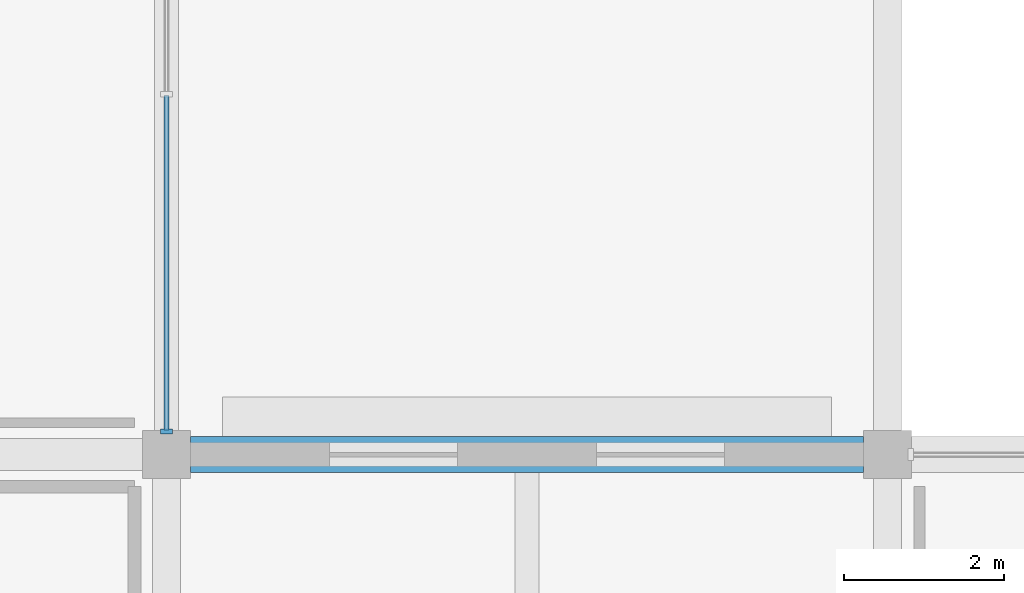
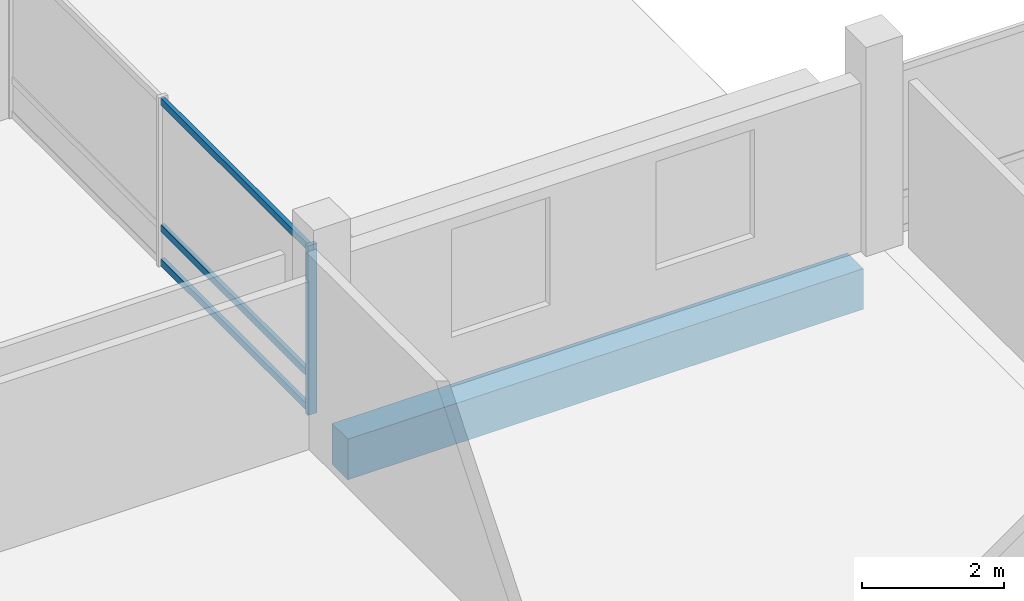
# One storey, part 13 of 163: 4 members, 1 beam, 1 element without a shape of its own.
"""IFC4 building model written with IfcOpenShell, lengths in metres."""

import ifcopenshell
import ifcopenshell.guid

model = None  # the IFC model being written
_history = None  # IfcOwnerHistory: only IFC2X3 demands one
_inside = {}  # id of a spatial element -> (the spatial element, [elements in it])
_under = {}  # id of a project, library or spatial element -> (it, [spatial elements below it])
_declared = {}  # id of a project -> (the project, [libraries it declares])
_typed = {}  # id of a type object -> (the type object, [elements of that type])
_made_of = {}  # id of a material, layer set ... -> (it, [elements and type objects made of it])


def new_model(schema):
    """Start an empty IFC model of exactly this schema.

    Asked for "IFC4X3", IfcOpenShell would pick the latest addendum, in which some entities
    have other attributes; the version numbers below select the first issue.
    IFC2X3 requires an IfcOwnerHistory on every rooted entity: one is made here for all.
    """
    global model, _history
    if schema == "IFC4X3":
        model = ifcopenshell.file(schema_version=(4, 3, 0, 0))
    else:
        model = ifcopenshell.file(schema=schema)
    _inside.clear()
    _under.clear()
    _declared.clear()
    _typed.clear()
    _made_of.clear()
    _history = None
    if model.schema == "IFC2X3":
        org = make("IfcOrganization", Name="unknown")
        user = make(
            "IfcPersonAndOrganization",
            ThePerson=make("IfcPerson", FamilyName="unknown"),
            TheOrganization=org,
        )
        app = make(
            "IfcApplication",
            ApplicationDeveloper=org,
            Version="unknown",
            ApplicationFullName="unknown",
            ApplicationIdentifier="unknown",
        )
        _history = make(
            "IfcOwnerHistory",
            OwningUser=user,
            OwningApplication=app,
            ChangeAction="ADDED",
            CreationDate=0,
        )
    return model


def make(cls, **values):
    """One entity of the class cls with the attributes given. An attribute that is None is left unset."""
    return model.create_entity(
        cls, **{name: value for name, value in values.items() if value is not None}
    )


def rooted(cls, **values):
    """An entity with a GlobalId (a new one), such as an element, a storey or a relation."""
    return make(cls, GlobalId=ifcopenshell.guid.new(), OwnerHistory=_history, **values)


def si_unit(unit_type, name, prefix=None):
    """IfcSIUnit, for example si_unit("LENGTHUNIT", "METRE", prefix="MILLI")."""
    return make("IfcSIUnit", UnitType=unit_type, Prefix=prefix, Name=name)


def assignment(units):
    """IfcUnitAssignment: the units of a project."""
    return None if units is None else make("IfcUnitAssignment", Units=units)


def point(xyz):
    """IfcCartesianPoint."""
    return None if xyz is None else make("IfcCartesianPoint", Coordinates=xyz)


def direction(xyz):
    """IfcDirection."""
    return None if xyz is None else make("IfcDirection", DirectionRatios=xyz)


def frame(location, z_axis=None, x_axis=None):
    """IfcAxis2Placement3D, a coordinate frame: its origin and axes. An axis left out is left unset."""
    return make(
        "IfcAxis2Placement3D",
        Location=point(location),
        Axis=direction(z_axis),
        RefDirection=direction(x_axis),
    )


def frame_2d(location, x_axis=None):
    """IfcAxis2Placement2D, a coordinate frame in the plane: its origin and x axis."""
    return make(
        "IfcAxis2Placement2D", Location=point(location), RefDirection=direction(x_axis)
    )


def origin():
    """The frame at (0, 0, 0) with its axes left unset."""
    return frame((0.0, 0.0, 0.0))


def origin_2d():
    """The frame at (0, 0) in the plane with its x axis left unset."""
    return frame_2d((0.0, 0.0))


def place(relative_to, where):
    """IfcLocalPlacement: puts the frame where relative to a parent placement (None: the world)."""
    return make(
        "IfcLocalPlacement", PlacementRelTo=relative_to, RelativePlacement=where
    )


def context(
    kind, dimensions, precision=None, world=None, true_north=None, identifier=None
):
    """IfcGeometricRepresentationContext, for example the 3D "Model" context."""
    return make(
        "IfcGeometricRepresentationContext",
        ContextIdentifier=identifier,
        ContextType=kind,
        CoordinateSpaceDimension=dimensions,
        Precision=precision,
        WorldCoordinateSystem=world,
        TrueNorth=true_north,
    )


def subcontext(parent, identifier, kind, view, scale=None):
    """IfcGeometricRepresentationSubContext, for example "Body" below "Model"."""
    return make(
        "IfcGeometricRepresentationSubContext",
        ContextIdentifier=identifier,
        ContextType=kind,
        ParentContext=parent,
        TargetScale=scale,
        TargetView=view,
    )


def project(units=None, contexts=None):
    """IfcProject with its units and contexts."""
    return rooted(
        "IfcProject",
        Name="project",
        RepresentationContexts=contexts,
        UnitsInContext=assignment(units),
    )


def spatial(cls, under=None, at=None, **own):
    """A site, building, storey or space (cls), placed at a placement, below another one or the project."""
    s = rooted(cls, ObjectPlacement=at, **own)
    if under is not None:
        _under.setdefault(under.id(), (under, []))[1].append(s)
    return s


def profile(cls, at=None, kind="AREA", **sizes):
    """A parametric profile (cls). Its sizes go by their IFC names, for example OverallWidth=200.0."""
    return make(cls, ProfileType=kind, Position=at, **sizes)


def rectangle(**sizes):
    """IfcRectangleProfileDef."""
    return profile("IfcRectangleProfileDef", **sizes)


def extrude(swept, where, along, depth):
    """IfcExtrudedAreaSolid: the profile swept, set in the frame where, extruded along a direction by depth."""
    return make(
        "IfcExtrudedAreaSolid",
        SweptArea=swept,
        Position=where,
        ExtrudedDirection=direction(along),
        Depth=depth,
    )


def shape(context_of_items, identifier, shape_type, items):
    """IfcShapeRepresentation: the items that make up one representation, for example the "Body"."""
    return make(
        "IfcShapeRepresentation",
        ContextOfItems=context_of_items,
        RepresentationIdentifier=identifier,
        RepresentationType=shape_type,
        Items=items,
    )


def material(Name=None, Category=None):
    """IfcMaterial."""
    return make("IfcMaterial", Name=Name, Category=Category)


def material_profile(
    of_material, cross_section, Name=None, Category=None, Priority=None
):
    """IfcMaterialProfile: a cross section and its material."""
    return make(
        "IfcMaterialProfile",
        Name=Name,
        Material=of_material,
        Profile=cross_section,
        Priority=Priority,
        Category=Category,
    )


def profile_set(profiles, Name=None, composite=None):
    """IfcMaterialProfileSet."""
    return make(
        "IfcMaterialProfileSet",
        Name=Name,
        MaterialProfiles=profiles,
        CompositeProfile=composite,
    )


def made_of(thing, what):
    """Note that an element or type object is made of a material, layer set ...; save() writes the relation."""
    if what is not None:
        _made_of.setdefault(what.id(), (what, []))[1].append(thing)
    return thing


def type_object(cls, material=None, **own):
    """A type object (cls), such as IfcWallType, which elements share."""
    return made_of(rooted(cls, **own), material)


def element(
    cls,
    number,
    at=None,
    inside=None,
    cuts=None,
    type_object=None,
    material=None,
    context=None,
    identifier="Body",
    shape_type=None,
    held_by="IfcProductDefinitionShape",
    body=None,
    shapes=None,
    **own,
):
    """One element of the class cls, such as IfcWall. Its Tag is "e" and its number.

    at: its placement. inside: the storey or other place that contains it. cuts: it is an
    opening in that element (IfcRelVoidsElement). A single representation is given by context,
    identifier, shape_type and body (its items); several are given by shapes. held_by: the class
    of the entity that holds the representations. save() writes the other relations.
    """
    e = rooted(cls, Tag="e%d" % number, ObjectPlacement=at, **own)
    if body is not None:
        shapes = [shape(context, identifier, shape_type, body)]
    if shapes is not None:
        e.Representation = make(held_by, Representations=shapes)
    if inside is not None:
        _inside.setdefault(inside.id(), (inside, []))[1].append(e)
    if cuts is not None:
        rooted(
            "IfcRelVoidsElement", RelatingBuildingElement=cuts, RelatedOpeningElement=e
        )
    if type_object is not None:
        _typed.setdefault(type_object.id(), (type_object, []))[1].append(e)
    return made_of(e, material)


def aggregate(whole, parts):
    """IfcRelAggregates: a whole, such as a stair, and the parts it consists of."""
    return rooted("IfcRelAggregates", RelatingObject=whole, RelatedObjects=parts)


def save(model, path):
    """Write the relations noted so far, then the file.

    IfcRelAggregates (storeys below a building ...), IfcRelContainedInSpatialStructure (elements
    in a storey), IfcRelDefinesByType, IfcRelAssociatesMaterial and IfcRelDeclares: one each for
    every whole, place, type object, material and project.
    """
    for whole, parts in _under.values():
        aggregate(whole, parts)
    for where, things in _inside.values():
        rooted(
            "IfcRelContainedInSpatialStructure",
            RelatedElements=things,
            RelatingStructure=where,
        )
    for kind, things in _typed.values():
        rooted("IfcRelDefinesByType", RelatedObjects=things, RelatingType=kind)
    for what, things in _made_of.values():
        rooted("IfcRelAssociatesMaterial", RelatedObjects=things, RelatingMaterial=what)
    for by, libraries in _declared.values():
        rooted("IfcRelDeclares", RelatingContext=by, RelatedDefinitions=libraries)
    model.write(path)


model = new_model("IFC4")

# Units and contexts
model_context = context("Model", 3, precision=1e-05, world=origin(), true_north=direction((0.0, 1.0)))
body_context = subcontext(model_context, "Body", "Model", "MODEL_VIEW")
ifc_project = project(units=[si_unit("LENGTHUNIT", "METRE"), si_unit("AREAUNIT", "SQUARE_METRE"), si_unit("VOLUMEUNIT", "CUBIC_METRE"), si_unit("PLANEANGLEUNIT", "RADIAN"), si_unit("MASSUNIT", "GRAM", prefix="KILO")], contexts=[model_context])

# Site, building, storey
site_placement = place(None, origin())
site = spatial("IfcSite", under=ifc_project, at=site_placement, CompositionType="ELEMENT")
building_placement = place(site_placement, origin())
building = spatial("IfcBuilding", under=site, at=building_placement, Name="Tharagai Park Tramway Depot", CompositionType="ELEMENT")
storey_placement = place(building_placement, frame((0.0, 0.0, 8.39990234375)))
storey = spatial("IfcBuildingStorey", under=building, at=storey_placement, Name="L02", CompositionType="ELEMENT", Elevation=8.39990234375)

# Curtain wall, members
ifc_material_1 = material(Name="Anodised aluminium", Category="aluminium")
curtain_wall_type = type_object("IfcCurtainWallType", Name="CW-07", PredefinedType="NOTDEFINED", material=ifc_material_1)
curtain_wall_placement = place(storey_placement, origin())
curtain_wall = element("IfcCurtainWall", 1, at=curtain_wall_placement, inside=storey, type_object=curtain_wall_type, Name="L02 V4 Side Mullioned Curtain Wall CW-07", PredefinedType="NOTDEFINED")
ifc_material_profile_1 = material_profile(ifc_material_1, rectangle(XDim=0.06494140625, YDim=0.1201171875, at=origin_2d()), Name="ALU 65x120")
ifc_profile_set_1 = profile_set([ifc_material_profile_1], Name="Anodised aluminium")
member_type_1 = type_object("IfcMemberType", Name="CM-01", PredefinedType="USERDEFINED", material=ifc_profile_set_1)
member_1_placement = place(storey_placement, frame((54.0, 27.304931640625, 0.06005859375), z_axis=(0.0, 1.0, 0.0), x_axis=(-1.0, 0.0, 0.0)))
member_1 = element("IfcMember", 2, at=member_1_placement, type_object=member_type_1, Name="L02 V4 Side Mullioned Curtain Wall Transom 1.1", ObjectType="TRANSOM", PredefinedType="USERDEFINED", context=body_context, shape_type="SweptSolid", body=[
    extrude(rectangle(XDim=0.06494140625, YDim=0.1201171875, at=origin_2d()), origin(), (0.0, 0.0, 1.0), 4.18017578125),
])
member_2_placement = place(storey_placement, frame((54.0, 27.304931640625, 0.650146484375), z_axis=(0.0, 1.0, 0.0), x_axis=(-1.0, 0.0, 0.0)))
member_2 = element("IfcMember", 3, at=member_2_placement, type_object=member_type_1, Name="L02 V4 Side Mullioned Curtain Wall Transom 1.2", ObjectType="TRANSOM", PredefinedType="USERDEFINED", context=body_context, shape_type="SweptSolid", body=[
    extrude(rectangle(XDim=0.06494140625, YDim=0.1201171875, at=origin_2d()), origin(), (0.0, 0.0, 1.0), 4.18017578125),
])
member_3_placement = place(storey_placement, frame((54.0, 27.304931640625, 2.830078125), z_axis=(0.0, 1.0, 0.0), x_axis=(-1.0, 0.0, 0.0)))
member_3 = element("IfcMember", 4, at=member_3_placement, type_object=member_type_1, Name="L02 V4 Side Mullioned Curtain Wall Transom 1.3", ObjectType="TRANSOM", PredefinedType="USERDEFINED", context=body_context, shape_type="SweptSolid", body=[
    extrude(rectangle(XDim=0.06494140625, YDim=0.1201171875, at=origin_2d()), origin(), (0.0, 0.0, 1.0), 4.18017578125),
])
ifc_material_profile_2 = material_profile(ifc_material_1, rectangle(XDim=0.06494140625, YDim=0.14990234375, at=origin_2d()), Name="ALU 65x150")
ifc_profile_set_2 = profile_set([ifc_material_profile_2], Name="Anodised aluminium")
member_type_2 = type_object("IfcMemberType", Name="CM-03", PredefinedType="MULLION", material=ifc_profile_set_2)
member_4_placement = place(storey_placement, frame((54.0, 27.2900390625, -0.0048828125), z_axis=(0.0, 0.0, 1.0), x_axis=(0.0, 1.0, 0.0)))
member_4 = element("IfcMember", 5, at=member_4_placement, type_object=member_type_2, Name="L02 V4 Side Mullioned Curtain Wall Mullion 1", PredefinedType="MULLION", context=body_context, shape_type="SweptSolid", body=[
    extrude(rectangle(XDim=0.06494140625, YDim=0.14990234375, at=origin_2d()), origin(), (0.0, 0.0, 1.0), 2.919921875),
])
aggregate(curtain_wall, [member_4, member_1, member_2, member_3])

# Beam
ifc_material_2 = material(Name="Concrete M35", Category="concrete")
ifc_material_profile_3 = material_profile(ifc_material_2, rectangle(XDim=0.449951171875, YDim=0.699951171875, at=origin_2d()), Name="RC 450x700")
ifc_profile_set_3 = profile_set([ifc_material_profile_3], Name="Concrete M35")
beam_type = type_object("IfcBeamType", Name="SP-01", PredefinedType="SPANDREL", material=ifc_profile_set_3)
beam_placement = place(storey_placement, frame((54.300048828125, 27.0, -0.599853515625), z_axis=(1.0, 0.0, 0.0), x_axis=(0.0, 1.0, 0.0)))
element("IfcBeam", 6, at=beam_placement, inside=storey, type_object=beam_type, Name="L02 Grid Beam SP-01", PredefinedType="SPANDREL", context=body_context, shape_type="SweptSolid", body=[
    extrude(rectangle(XDim=0.449951171875, YDim=0.699951171875, at=origin_2d()), origin(), (0.0, 0.0, 1.0), 8.39990234375),
])

save(model, "model.ifc")
